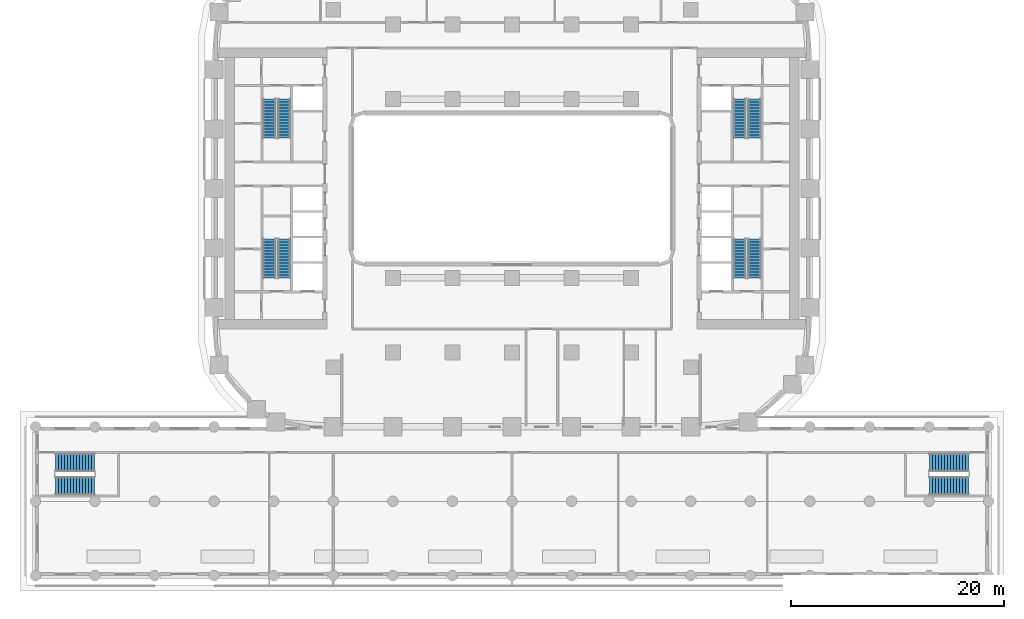
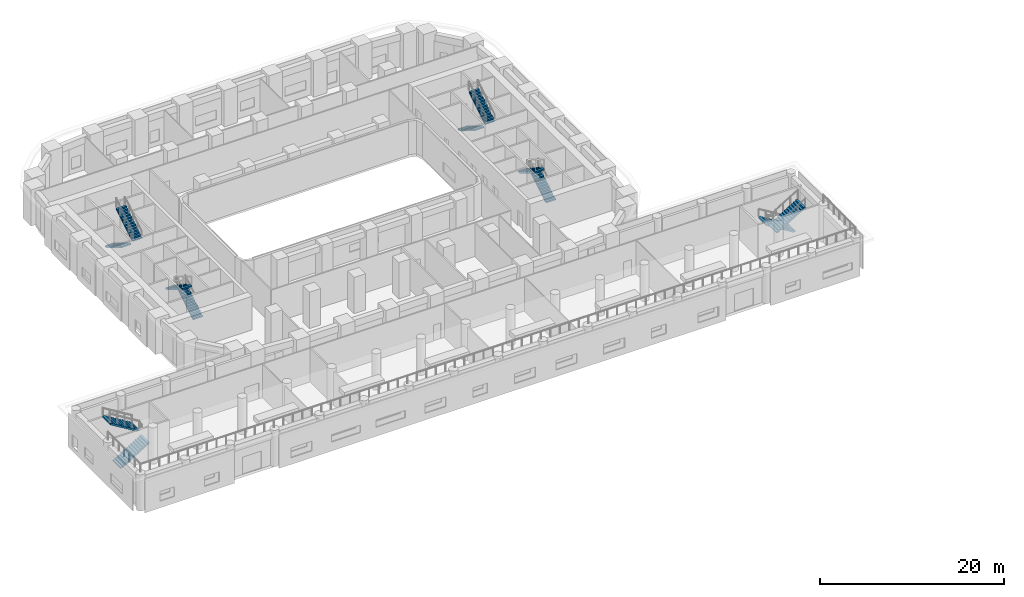
# One storey, part 27 of 35: 12 stair flights, 6 elements without a shape of their own.
"""IFC4 building model written with IfcOpenShell, lengths in metres."""

from ifc_helpers import new_model, si_unit, direction, frame, origin, place, context, subcontext, project, spatial, polyline, outline, extrude, material, type_object, element, aggregate, save


model = new_model("IFC4")

# Units and contexts
model_context = context("Model", 3, precision=1e-05, world=origin(), true_north=direction((0.0, 1.0)))
body_context = subcontext(model_context, "Body", "Model", "MODEL_VIEW")
ifc_project = project(units=[si_unit("LENGTHUNIT", "METRE"), si_unit("AREAUNIT", "SQUARE_METRE"), si_unit("VOLUMEUNIT", "CUBIC_METRE"), si_unit("PLANEANGLEUNIT", "RADIAN"), si_unit("MASSUNIT", "GRAM", prefix="KILO")], contexts=[model_context])

# Site, building, storey
site_placement = place(None, origin())
site = spatial("IfcSite", under=ifc_project, at=site_placement, CompositionType="ELEMENT")
building_placement = place(site_placement, origin())
building = spatial("IfcBuilding", under=site, at=building_placement, Name="Kiln Ring Residences", CompositionType="ELEMENT")
storey_placement = place(building_placement, frame((0.0, 0.0, 20.89990234375)))
storey = spatial("IfcBuildingStorey", under=building, at=storey_placement, Name="L04", CompositionType="ELEMENT", Elevation=20.89990234375)

# Stair, stair flights
ifc_material_1 = material(Name="Concrete C40/50", Category="concrete")
stair_type_1 = type_object("IfcStairType", Name="CORE-STAIR", PredefinedType="HALF_TURN_STAIR", material=ifc_material_1)
placement = place(storey_placement, origin())
stair_1 = element("IfcStair", 1, at=placement, inside=storey, type_object=stair_type_1, Name="L04 stair W-STN", PredefinedType="HALF_TURN_STAIR")
ifc_material_2 = material(Name="Concrete C40/50", Category="concrete")
stair_flight_type_1 = type_object("IfcStairFlightType", Name="CORE-STAIR-FLIGHT", PredefinedType="STRAIGHT", material=ifc_material_2)
stair_flight_1_placement = place(storey_placement, frame((-22.800048828125, 8.39990234375, 0.0), z_axis=(0.0, 0.0, 1.0), x_axis=(0.0, -1.0, 0.0)))
stair_flight_1 = element("IfcStairFlight", 2, at=stair_flight_1_placement, type_object=stair_flight_type_1, Name="W-STN flight 1", NumberOfRisers=14, NumberOfTreads=13, PredefinedType="STRAIGHT", RiserHeight=0.171428571, TreadLength=0.28, context=body_context, shape_type="SweptSolid", body=[
    extrude(outline(polyline([(0.0, 0.0), (0.0, 0.17138671875), (0.280029296875, 0.17138671875), (0.280029296875, 0.3427734375), (0.56005859375, 0.3427734375), (0.56005859375, 0.514404296875), (0.840087890625, 0.514404296875), (0.840087890625, 0.685791015625), (1.1201171875, 0.685791015625), (1.1201171875, 0.857177734375), (1.39990234375, 0.857177734375), (1.39990234375, 1.028564453125), (1.679931640625, 1.028564453125), (1.679931640625, 1.199951171875), (1.9599609375, 1.199951171875), (1.9599609375, 1.371337890625), (2.239990234375, 1.371337890625), (2.239990234375, 1.54296875), (2.52001953125, 1.54296875), (2.52001953125, 1.71435546875), (2.800048828125, 1.71435546875), (2.800048828125, 1.8857421875), (3.080078125, 1.8857421875), (3.080078125, 2.05712890625), (3.360107421875, 2.05712890625), (3.360107421875, 2.228515625), (3.639892578125, 2.228515625), (3.639892578125, 2.39990234375), (3.639892578125, 2.052734375), (0.287109375, 0.0), (0.0, 0.0)])), frame((0.0, 0.60009765625, 0.0), z_axis=(0.0, -1.0, 0.0), x_axis=(1.0, 0.0, 0.0)), (0.0, 0.0, 1.0), 1.199951171875),
])
stair_flight_2_placement = place(storey_placement, frame((-21.39990234375, 4.760009765625, 2.400146484375), z_axis=(0.0, 0.0, 1.0), x_axis=(0.0, 1.0, 0.0)))
stair_flight_2 = element("IfcStairFlight", 3, at=stair_flight_2_placement, type_object=stair_flight_type_1, Name="W-STN flight 2", NumberOfRisers=14, NumberOfTreads=13, PredefinedType="STRAIGHT", RiserHeight=0.171428571, TreadLength=0.28, context=body_context, shape_type="SweptSolid", body=[
    extrude(outline(polyline([(0.0, 0.0), (0.0, 0.17138671875), (0.280029296875, 0.17138671875), (0.280029296875, 0.3427734375), (0.56005859375, 0.3427734375), (0.56005859375, 0.514404296875), (0.840087890625, 0.514404296875), (0.840087890625, 0.685791015625), (1.1201171875, 0.685791015625), (1.1201171875, 0.857177734375), (1.39990234375, 0.857177734375), (1.39990234375, 1.028564453125), (1.679931640625, 1.028564453125), (1.679931640625, 1.199951171875), (1.9599609375, 1.199951171875), (1.9599609375, 1.371337890625), (2.239990234375, 1.371337890625), (2.239990234375, 1.54296875), (2.52001953125, 1.54296875), (2.52001953125, 1.71435546875), (2.800048828125, 1.71435546875), (2.800048828125, 1.8857421875), (3.080078125, 1.8857421875), (3.080078125, 2.05712890625), (3.360107421875, 2.05712890625), (3.360107421875, 2.228515625), (3.639892578125, 2.228515625), (3.639892578125, 2.39990234375), (3.639892578125, 2.052734375), (0.287109375, 0.0), (0.0, 0.0)])), frame((0.0, 0.60009765625, 0.0), z_axis=(0.0, -1.0, 0.0), x_axis=(1.0, 0.0, 0.0)), (0.0, 0.0, 1.0), 1.199951171875),
])
aggregate(stair_1, [stair_flight_1, stair_flight_2])

stair_2 = element("IfcStair", 4, at=placement, inside=storey, type_object=stair_type_1, Name="L04 stair W-STS", PredefinedType="HALF_TURN_STAIR")
stair_flight_3_placement = place(storey_placement, frame((-21.39990234375, -8.39990234375, 0.0), z_axis=(0.0, 0.0, 1.0), x_axis=(0.0, 1.0, 0.0)))
stair_flight_3 = element("IfcStairFlight", 5, at=stair_flight_3_placement, type_object=stair_flight_type_1, Name="W-STS flight 1", NumberOfRisers=14, NumberOfTreads=13, PredefinedType="STRAIGHT", RiserHeight=0.171428571, TreadLength=0.28, context=body_context, shape_type="SweptSolid", body=[
    extrude(outline(polyline([(0.0, 0.0), (0.0, 0.17138671875), (0.280029296875, 0.17138671875), (0.280029296875, 0.3427734375), (0.56005859375, 0.3427734375), (0.56005859375, 0.514404296875), (0.840087890625, 0.514404296875), (0.840087890625, 0.685791015625), (1.1201171875, 0.685791015625), (1.1201171875, 0.857177734375), (1.39990234375, 0.857177734375), (1.39990234375, 1.028564453125), (1.679931640625, 1.028564453125), (1.679931640625, 1.199951171875), (1.9599609375, 1.199951171875), (1.9599609375, 1.371337890625), (2.239990234375, 1.371337890625), (2.239990234375, 1.54296875), (2.52001953125, 1.54296875), (2.52001953125, 1.71435546875), (2.800048828125, 1.71435546875), (2.800048828125, 1.8857421875), (3.080078125, 1.8857421875), (3.080078125, 2.05712890625), (3.360107421875, 2.05712890625), (3.360107421875, 2.228515625), (3.639892578125, 2.228515625), (3.639892578125, 2.39990234375), (3.639892578125, 2.052734375), (0.287109375, 0.0), (0.0, 0.0)])), frame((0.0, 0.60009765625, 0.0), z_axis=(0.0, -1.0, 0.0), x_axis=(1.0, 0.0, 0.0)), (0.0, 0.0, 1.0), 1.199951171875),
])
stair_flight_4_placement = place(storey_placement, frame((-22.800048828125, -4.760009765625, 2.400146484375), z_axis=(0.0, 0.0, 1.0), x_axis=(0.0, -1.0, 0.0)))
stair_flight_4 = element("IfcStairFlight", 6, at=stair_flight_4_placement, type_object=stair_flight_type_1, Name="W-STS flight 2", NumberOfRisers=14, NumberOfTreads=13, PredefinedType="STRAIGHT", RiserHeight=0.171428571, TreadLength=0.28, context=body_context, shape_type="SweptSolid", body=[
    extrude(outline(polyline([(0.0, 0.0), (0.0, 0.17138671875), (0.280029296875, 0.17138671875), (0.280029296875, 0.3427734375), (0.56005859375, 0.3427734375), (0.56005859375, 0.514404296875), (0.840087890625, 0.514404296875), (0.840087890625, 0.685791015625), (1.1201171875, 0.685791015625), (1.1201171875, 0.857177734375), (1.39990234375, 0.857177734375), (1.39990234375, 1.028564453125), (1.679931640625, 1.028564453125), (1.679931640625, 1.199951171875), (1.9599609375, 1.199951171875), (1.9599609375, 1.371337890625), (2.239990234375, 1.371337890625), (2.239990234375, 1.54296875), (2.52001953125, 1.54296875), (2.52001953125, 1.71435546875), (2.800048828125, 1.71435546875), (2.800048828125, 1.8857421875), (3.080078125, 1.8857421875), (3.080078125, 2.05712890625), (3.360107421875, 2.05712890625), (3.360107421875, 2.228515625), (3.639892578125, 2.228515625), (3.639892578125, 2.39990234375), (3.639892578125, 2.052734375), (0.287109375, 0.0), (0.0, 0.0)])), frame((0.0, 0.60009765625, 0.0), z_axis=(0.0, -1.0, 0.0), x_axis=(1.0, 0.0, 0.0)), (0.0, 0.0, 1.0), 1.199951171875),
])
aggregate(stair_2, [stair_flight_3, stair_flight_4])

stair_3 = element("IfcStair", 7, at=placement, inside=storey, type_object=stair_type_1, Name="L04 stair E-STN", PredefinedType="HALF_TURN_STAIR")
stair_flight_5_placement = place(storey_placement, frame((21.39990234375, 8.39990234375, 0.0), z_axis=(0.0, 0.0, 1.0), x_axis=(0.0, -1.0, 0.0)))
stair_flight_5 = element("IfcStairFlight", 8, at=stair_flight_5_placement, type_object=stair_flight_type_1, Name="E-STN flight 1", NumberOfRisers=14, NumberOfTreads=13, PredefinedType="STRAIGHT", RiserHeight=0.171428571, TreadLength=0.28, context=body_context, shape_type="SweptSolid", body=[
    extrude(outline(polyline([(0.0, 0.0), (0.0, 0.17138671875), (0.280029296875, 0.17138671875), (0.280029296875, 0.3427734375), (0.56005859375, 0.3427734375), (0.56005859375, 0.514404296875), (0.840087890625, 0.514404296875), (0.840087890625, 0.685791015625), (1.1201171875, 0.685791015625), (1.1201171875, 0.857177734375), (1.39990234375, 0.857177734375), (1.39990234375, 1.028564453125), (1.679931640625, 1.028564453125), (1.679931640625, 1.199951171875), (1.9599609375, 1.199951171875), (1.9599609375, 1.371337890625), (2.239990234375, 1.371337890625), (2.239990234375, 1.54296875), (2.52001953125, 1.54296875), (2.52001953125, 1.71435546875), (2.800048828125, 1.71435546875), (2.800048828125, 1.8857421875), (3.080078125, 1.8857421875), (3.080078125, 2.05712890625), (3.360107421875, 2.05712890625), (3.360107421875, 2.228515625), (3.639892578125, 2.228515625), (3.639892578125, 2.39990234375), (3.639892578125, 2.052734375), (0.287109375, 0.0), (0.0, 0.0)])), frame((0.0, 0.60009765625, 0.0), z_axis=(0.0, -1.0, 0.0), x_axis=(1.0, 0.0, 0.0)), (0.0, 0.0, 1.0), 1.199951171875),
])
stair_flight_6_placement = place(storey_placement, frame((22.800048828125, 4.760009765625, 2.400146484375), z_axis=(0.0, 0.0, 1.0), x_axis=(0.0, 1.0, 0.0)))
stair_flight_6 = element("IfcStairFlight", 9, at=stair_flight_6_placement, type_object=stair_flight_type_1, Name="E-STN flight 2", NumberOfRisers=14, NumberOfTreads=13, PredefinedType="STRAIGHT", RiserHeight=0.171428571, TreadLength=0.28, context=body_context, shape_type="SweptSolid", body=[
    extrude(outline(polyline([(0.0, 0.0), (0.0, 0.17138671875), (0.280029296875, 0.17138671875), (0.280029296875, 0.3427734375), (0.56005859375, 0.3427734375), (0.56005859375, 0.514404296875), (0.840087890625, 0.514404296875), (0.840087890625, 0.685791015625), (1.1201171875, 0.685791015625), (1.1201171875, 0.857177734375), (1.39990234375, 0.857177734375), (1.39990234375, 1.028564453125), (1.679931640625, 1.028564453125), (1.679931640625, 1.199951171875), (1.9599609375, 1.199951171875), (1.9599609375, 1.371337890625), (2.239990234375, 1.371337890625), (2.239990234375, 1.54296875), (2.52001953125, 1.54296875), (2.52001953125, 1.71435546875), (2.800048828125, 1.71435546875), (2.800048828125, 1.8857421875), (3.080078125, 1.8857421875), (3.080078125, 2.05712890625), (3.360107421875, 2.05712890625), (3.360107421875, 2.228515625), (3.639892578125, 2.228515625), (3.639892578125, 2.39990234375), (3.639892578125, 2.052734375), (0.287109375, 0.0), (0.0, 0.0)])), frame((0.0, 0.60009765625, 0.0), z_axis=(0.0, -1.0, 0.0), x_axis=(1.0, 0.0, 0.0)), (0.0, 0.0, 1.0), 1.199951171875),
])
aggregate(stair_3, [stair_flight_5, stair_flight_6])

stair_4 = element("IfcStair", 10, at=placement, inside=storey, type_object=stair_type_1, Name="L04 stair E-STS", PredefinedType="HALF_TURN_STAIR")
stair_flight_7_placement = place(storey_placement, frame((22.800048828125, -8.39990234375, 0.0), z_axis=(0.0, 0.0, 1.0), x_axis=(0.0, 1.0, 0.0)))
stair_flight_7 = element("IfcStairFlight", 11, at=stair_flight_7_placement, type_object=stair_flight_type_1, Name="E-STS flight 1", NumberOfRisers=14, NumberOfTreads=13, PredefinedType="STRAIGHT", RiserHeight=0.171428571, TreadLength=0.28, context=body_context, shape_type="SweptSolid", body=[
    extrude(outline(polyline([(0.0, 0.0), (0.0, 0.17138671875), (0.280029296875, 0.17138671875), (0.280029296875, 0.3427734375), (0.56005859375, 0.3427734375), (0.56005859375, 0.514404296875), (0.840087890625, 0.514404296875), (0.840087890625, 0.685791015625), (1.1201171875, 0.685791015625), (1.1201171875, 0.857177734375), (1.39990234375, 0.857177734375), (1.39990234375, 1.028564453125), (1.679931640625, 1.028564453125), (1.679931640625, 1.199951171875), (1.9599609375, 1.199951171875), (1.9599609375, 1.371337890625), (2.239990234375, 1.371337890625), (2.239990234375, 1.54296875), (2.52001953125, 1.54296875), (2.52001953125, 1.71435546875), (2.800048828125, 1.71435546875), (2.800048828125, 1.8857421875), (3.080078125, 1.8857421875), (3.080078125, 2.05712890625), (3.360107421875, 2.05712890625), (3.360107421875, 2.228515625), (3.639892578125, 2.228515625), (3.639892578125, 2.39990234375), (3.639892578125, 2.052734375), (0.287109375, 0.0), (0.0, 0.0)])), frame((0.0, 0.60009765625, 0.0), z_axis=(0.0, -1.0, 0.0), x_axis=(1.0, 0.0, 0.0)), (0.0, 0.0, 1.0), 1.199951171875),
])
stair_flight_8_placement = place(storey_placement, frame((21.39990234375, -4.760009765625, 2.400146484375), z_axis=(0.0, 0.0, 1.0), x_axis=(0.0, -1.0, 0.0)))
stair_flight_8 = element("IfcStairFlight", 12, at=stair_flight_8_placement, type_object=stair_flight_type_1, Name="E-STS flight 2", NumberOfRisers=14, NumberOfTreads=13, PredefinedType="STRAIGHT", RiserHeight=0.171428571, TreadLength=0.28, context=body_context, shape_type="SweptSolid", body=[
    extrude(outline(polyline([(0.0, 0.0), (0.0, 0.17138671875), (0.280029296875, 0.17138671875), (0.280029296875, 0.3427734375), (0.56005859375, 0.3427734375), (0.56005859375, 0.514404296875), (0.840087890625, 0.514404296875), (0.840087890625, 0.685791015625), (1.1201171875, 0.685791015625), (1.1201171875, 0.857177734375), (1.39990234375, 0.857177734375), (1.39990234375, 1.028564453125), (1.679931640625, 1.028564453125), (1.679931640625, 1.199951171875), (1.9599609375, 1.199951171875), (1.9599609375, 1.371337890625), (2.239990234375, 1.371337890625), (2.239990234375, 1.54296875), (2.52001953125, 1.54296875), (2.52001953125, 1.71435546875), (2.800048828125, 1.71435546875), (2.800048828125, 1.8857421875), (3.080078125, 1.8857421875), (3.080078125, 2.05712890625), (3.360107421875, 2.05712890625), (3.360107421875, 2.228515625), (3.639892578125, 2.228515625), (3.639892578125, 2.39990234375), (3.639892578125, 2.052734375), (0.287109375, 0.0), (0.0, 0.0)])), frame((0.0, 0.60009765625, 0.0), z_axis=(0.0, -1.0, 0.0), x_axis=(1.0, 0.0, 0.0)), (0.0, 0.0, 1.0), 1.199951171875),
])
aggregate(stair_4, [stair_flight_7, stair_flight_8])

ifc_material_3 = material(Name="Concrete C40/50", Category="concrete")
stair_type_2 = type_object("IfcStairType", Name="PODIUM-STAIR", PredefinedType="HALF_TURN_STAIR", material=ifc_material_3)
stair_5 = element("IfcStair", 13, at=placement, inside=storey, type_object=stair_type_2, Name="L04 exit stair PS-W", PredefinedType="HALF_TURN_STAIR")
ifc_material_4 = material(Name="Concrete C40/50", Category="concrete")
stair_flight_type_2 = type_object("IfcStairFlightType", Name="PODIUM-STAIR-FLIGHT", PredefinedType="STRAIGHT", material=ifc_material_4)
stair_flight_9_placement = place(storey_placement, frame((-42.89990234375, -27.949951171875, 0.0), z_axis=(0.0, 0.0, 1.0), x_axis=(1.0, 0.0, 0.0)))
stair_flight_9 = element("IfcStairFlight", 14, at=stair_flight_9_placement, type_object=stair_flight_type_2, Name="PS-W flight 1", NumberOfRisers=14, NumberOfTreads=13, PredefinedType="STRAIGHT", RiserHeight=0.171428571, TreadLength=0.28, context=body_context, shape_type="SweptSolid", body=[
    extrude(outline(polyline([(0.0, 0.0), (0.0, 0.17138671875), (0.280029296875, 0.17138671875), (0.280029296875, 0.3427734375), (0.56005859375, 0.3427734375), (0.56005859375, 0.514404296875), (0.840087890625, 0.514404296875), (0.840087890625, 0.685791015625), (1.1201171875, 0.685791015625), (1.1201171875, 0.857177734375), (1.39990234375, 0.857177734375), (1.39990234375, 1.028564453125), (1.679931640625, 1.028564453125), (1.679931640625, 1.199951171875), (1.9599609375, 1.199951171875), (1.9599609375, 1.371337890625), (2.239990234375, 1.371337890625), (2.239990234375, 1.54296875), (2.52001953125, 1.54296875), (2.52001953125, 1.71435546875), (2.800048828125, 1.71435546875), (2.800048828125, 1.8857421875), (3.080078125, 1.8857421875), (3.080078125, 2.05712890625), (3.360107421875, 2.05712890625), (3.360107421875, 2.228515625), (3.639892578125, 2.228515625), (3.639892578125, 2.39990234375), (3.639892578125, 2.052734375), (0.287109375, 0.0), (0.0, 0.0)])), frame((0.0, 0.85009765625, 0.0), z_axis=(0.0, -1.0, 0.0), x_axis=(1.0, 0.0, 0.0)), (0.0, 0.0, 1.0), 1.699951171875),
])
stair_flight_10_placement = place(storey_placement, frame((-39.260009765625, -25.75, 2.400146484375), z_axis=(0.0, 0.0, 1.0), x_axis=(-1.0, 0.0, 0.0)))
stair_flight_10 = element("IfcStairFlight", 15, at=stair_flight_10_placement, type_object=stair_flight_type_2, Name="PS-W flight 2", NumberOfRisers=14, NumberOfTreads=13, PredefinedType="STRAIGHT", RiserHeight=0.171428571, TreadLength=0.28, context=body_context, shape_type="SweptSolid", body=[
    extrude(outline(polyline([(0.0, 0.0), (0.0, 0.17138671875), (0.280029296875, 0.17138671875), (0.280029296875, 0.3427734375), (0.56005859375, 0.3427734375), (0.56005859375, 0.514404296875), (0.840087890625, 0.514404296875), (0.840087890625, 0.685791015625), (1.1201171875, 0.685791015625), (1.1201171875, 0.857177734375), (1.39990234375, 0.857177734375), (1.39990234375, 1.028564453125), (1.679931640625, 1.028564453125), (1.679931640625, 1.199951171875), (1.9599609375, 1.199951171875), (1.9599609375, 1.371337890625), (2.239990234375, 1.371337890625), (2.239990234375, 1.54296875), (2.52001953125, 1.54296875), (2.52001953125, 1.71435546875), (2.800048828125, 1.71435546875), (2.800048828125, 1.8857421875), (3.080078125, 1.8857421875), (3.080078125, 2.05712890625), (3.360107421875, 2.05712890625), (3.360107421875, 2.228515625), (3.639892578125, 2.228515625), (3.639892578125, 2.39990234375), (3.639892578125, 2.052734375), (0.287109375, 0.0), (0.0, 0.0)])), frame((0.0, 0.85009765625, 0.0), z_axis=(0.0, -1.0, 0.0), x_axis=(1.0, 0.0, 0.0)), (0.0, 0.0, 1.0), 1.699951171875),
])
aggregate(stair_5, [stair_flight_9, stair_flight_10])

stair_6 = element("IfcStair", 16, at=placement, inside=storey, type_object=stair_type_2, Name="L04 exit stair PS-E", PredefinedType="HALF_TURN_STAIR")
stair_flight_11_placement = place(storey_placement, frame((42.89990234375, -25.75, 0.0), z_axis=(0.0, 0.0, 1.0), x_axis=(-1.0, 0.0, 0.0)))
stair_flight_11 = element("IfcStairFlight", 17, at=stair_flight_11_placement, type_object=stair_flight_type_2, Name="PS-E flight 1", NumberOfRisers=14, NumberOfTreads=13, PredefinedType="STRAIGHT", RiserHeight=0.171428571, TreadLength=0.28, context=body_context, shape_type="SweptSolid", body=[
    extrude(outline(polyline([(0.0, 0.0), (0.0, 0.17138671875), (0.280029296875, 0.17138671875), (0.280029296875, 0.3427734375), (0.56005859375, 0.3427734375), (0.56005859375, 0.514404296875), (0.840087890625, 0.514404296875), (0.840087890625, 0.685791015625), (1.1201171875, 0.685791015625), (1.1201171875, 0.857177734375), (1.39990234375, 0.857177734375), (1.39990234375, 1.028564453125), (1.679931640625, 1.028564453125), (1.679931640625, 1.199951171875), (1.9599609375, 1.199951171875), (1.9599609375, 1.371337890625), (2.239990234375, 1.371337890625), (2.239990234375, 1.54296875), (2.52001953125, 1.54296875), (2.52001953125, 1.71435546875), (2.800048828125, 1.71435546875), (2.800048828125, 1.8857421875), (3.080078125, 1.8857421875), (3.080078125, 2.05712890625), (3.360107421875, 2.05712890625), (3.360107421875, 2.228515625), (3.639892578125, 2.228515625), (3.639892578125, 2.39990234375), (3.639892578125, 2.052734375), (0.287109375, 0.0), (0.0, 0.0)])), frame((0.0, 0.85009765625, 0.0), z_axis=(0.0, -1.0, 0.0), x_axis=(1.0, 0.0, 0.0)), (0.0, 0.0, 1.0), 1.699951171875),
])
stair_flight_12_placement = place(storey_placement, frame((39.260009765625, -27.949951171875, 2.400146484375), z_axis=(0.0, 0.0, 1.0), x_axis=(1.0, 0.0, 0.0)))
stair_flight_12 = element("IfcStairFlight", 18, at=stair_flight_12_placement, type_object=stair_flight_type_2, Name="PS-E flight 2", NumberOfRisers=14, NumberOfTreads=13, PredefinedType="STRAIGHT", RiserHeight=0.171428571, TreadLength=0.28, context=body_context, shape_type="SweptSolid", body=[
    extrude(outline(polyline([(0.0, 0.0), (0.0, 0.17138671875), (0.280029296875, 0.17138671875), (0.280029296875, 0.3427734375), (0.56005859375, 0.3427734375), (0.56005859375, 0.514404296875), (0.840087890625, 0.514404296875), (0.840087890625, 0.685791015625), (1.1201171875, 0.685791015625), (1.1201171875, 0.857177734375), (1.39990234375, 0.857177734375), (1.39990234375, 1.028564453125), (1.679931640625, 1.028564453125), (1.679931640625, 1.199951171875), (1.9599609375, 1.199951171875), (1.9599609375, 1.371337890625), (2.239990234375, 1.371337890625), (2.239990234375, 1.54296875), (2.52001953125, 1.54296875), (2.52001953125, 1.71435546875), (2.800048828125, 1.71435546875), (2.800048828125, 1.8857421875), (3.080078125, 1.8857421875), (3.080078125, 2.05712890625), (3.360107421875, 2.05712890625), (3.360107421875, 2.228515625), (3.639892578125, 2.228515625), (3.639892578125, 2.39990234375), (3.639892578125, 2.052734375), (0.287109375, 0.0), (0.0, 0.0)])), frame((0.0, 0.85009765625, 0.0), z_axis=(0.0, -1.0, 0.0), x_axis=(1.0, 0.0, 0.0)), (0.0, 0.0, 1.0), 1.699951171875),
])
aggregate(stair_6, [stair_flight_11, stair_flight_12])

save(model, "model.ifc")
